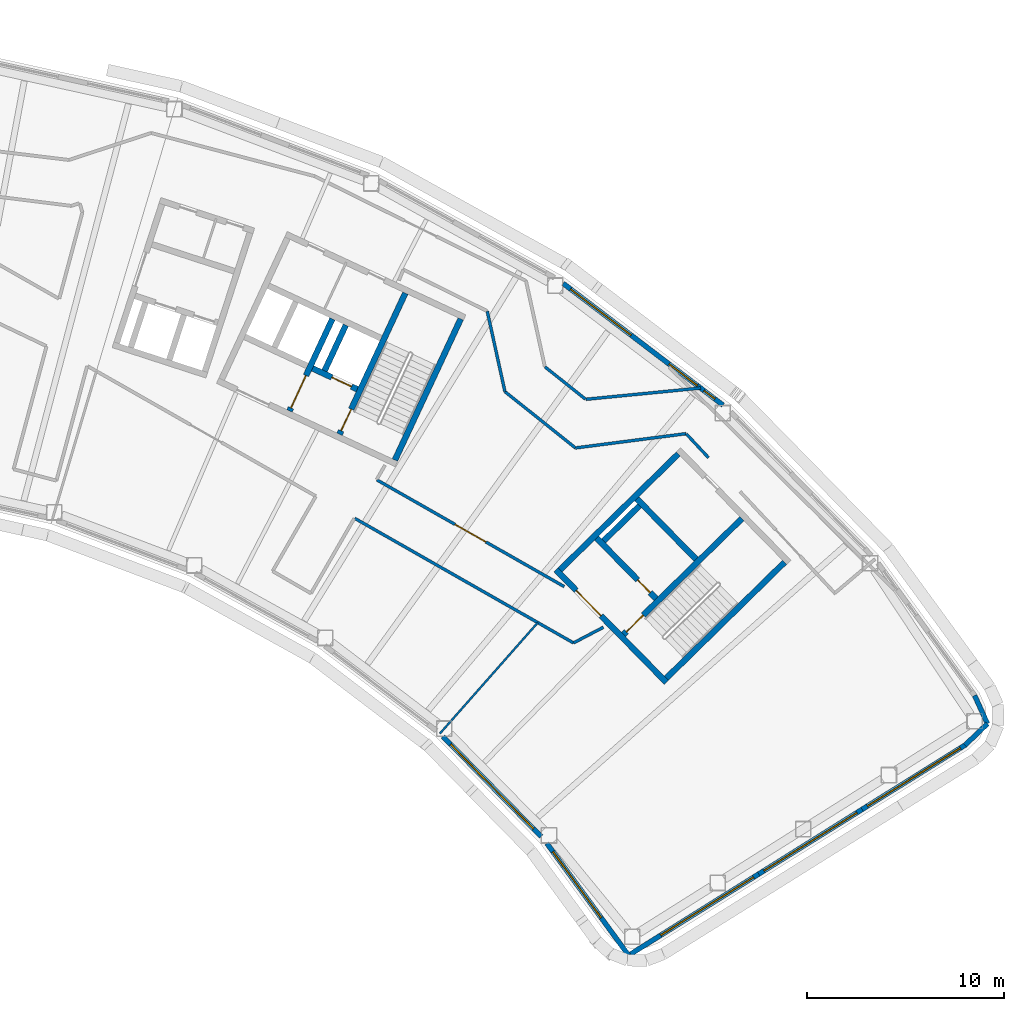
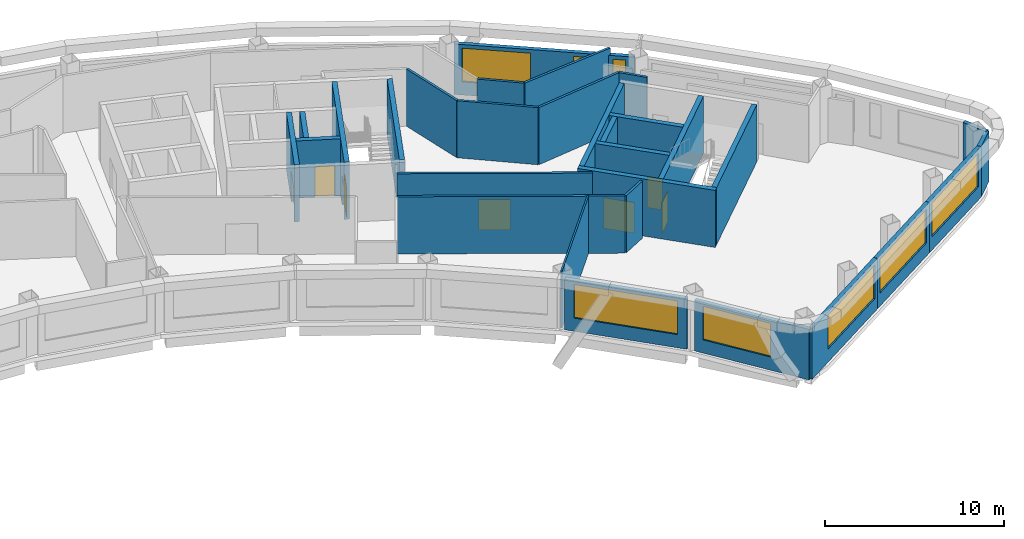
# One storey, part 8 of 13: 30 walls, 8 windows, 7 doors, 15 openings.
"""IFC4 building model written with IfcOpenShell, lengths in metres."""

from ifc_helpers import new_model, si_unit, direction, frame, frame_2d, origin, place, context, subcontext, project, spatial, rectangle, extrude, material, layer, layer_set, type_object, element, fill, save


model = new_model("IFC4")

# Units and contexts
model_context = context("Model", 3, precision=1e-05, world=origin(), true_north=direction((0.0, 1.0)))
body_context = subcontext(model_context, "Body", "Model", "MODEL_VIEW")
ifc_project = project(units=[si_unit("LENGTHUNIT", "METRE"), si_unit("AREAUNIT", "SQUARE_METRE"), si_unit("VOLUMEUNIT", "CUBIC_METRE"), si_unit("PLANEANGLEUNIT", "RADIAN"), si_unit("MASSUNIT", "GRAM", prefix="KILO")], contexts=[model_context])

# Site, building, storey
site_placement = place(None, origin())
site = spatial("IfcSite", under=ifc_project, at=site_placement, CompositionType="ELEMENT")
building_placement = place(site_placement, origin())
building = spatial("IfcBuilding", under=site, at=building_placement, Name="Tuul Gate Civic Tower", CompositionType="ELEMENT")
storey_placement = place(building_placement, frame((0.0, 0.0, 340.699951171875)))
storey = spatial("IfcBuildingStorey", under=building, at=storey_placement, Name="Level 77", CompositionType="ELEMENT", Elevation=340.699951171875)

# Wall, opening, door
ifc_material_1 = material(Name="Concrete C50/60", Category="concrete")
ifc_layer_1 = layer(ifc_material_1, 0.300048828125)
ifc_layer_set_1 = layer_set([ifc_layer_1], Name="Concrete C50/60")
wall_type_1 = type_object("IfcWallType", Name="Core wall C50/60", PredefinedType="SHEAR", material=ifc_layer_set_1)
wall_1_placement = place(storey_placement, frame((48.22509765625, -18.327880859375, 0.0), z_axis=(0.0, 0.0, 1.0), x_axis=(-0.700021979774, 0.714121297703, 0.0)))
wall_1 = element("IfcWall", 1, at=wall_1_placement, inside=storey, type_object=wall_type_1, Name="Core wall", PredefinedType="SHEAR", context=body_context, shape_type="SweptSolid", body=[
    extrude(rectangle(XDim=8.0, YDim=0.300048828125, at=frame_2d((4.0, 0.0))), origin(), (0.0, 0.0, 1.0), 3.900146484375),
])
opening_1_placement = place(wall_1_placement, frame((4.72509765625, 0.0, 0.0)))
opening_1 = element("IfcOpeningElement", 2, at=opening_1_placement, cuts=wall_1, Name="Opening LB-E1-LOBBY-1", PredefinedType="OPENING", context=body_context, shape_type="SweptSolid", body=[
    extrude(rectangle(XDim=1.800048828125, YDim=2.10009765625, at=frame_2d((0.89990234375, 1.050048828125))), frame((0.0, 0.16015625, 0.0), z_axis=(0.0, -1.0, 0.0), x_axis=(1.0, 0.0, 0.0)), (0.0, 0.0, 1.0), 0.320068359375),
])
ifc_material_2 = material(Name="Steel", Category="steel")
door_type_1 = type_object("IfcDoorType", Name="Lobby door", OperationType="DOUBLE_DOOR_SINGLE_SWING", PredefinedType="DOOR", material=ifc_material_2)
door_1_placement = place(opening_1_placement, frame((1.800048828125, 0.0, 0.0), z_axis=(0.0, 0.0, 1.0), x_axis=(-1.0, 0.0, 0.0)))
door_1 = element("IfcDoor", 3, at=door_1_placement, inside=storey, type_object=door_type_1, Name="Lobby door E1-LOBBY", OperationType="DOUBLE_DOOR_SINGLE_SWING", OverallHeight=2.10009765625, OverallWidth=1.800048828125, PredefinedType="DOOR", context=body_context, shape_type="SweptSolid", body=[
    extrude(rectangle(XDim=1.800048828125, YDim=2.10009765625, at=frame_2d((0.900146484375, 1.050048828125))), frame((0.0, 0.02490234375, 0.0), z_axis=(0.0, -1.0, 0.0), x_axis=(1.0, 0.0, 0.0)), (0.0, 0.0, 1.0), 0.050048828125),
])
fill(opening_1, door_1)

wall_2_placement = place(storey_placement, frame((47.701904296875, -14.079833984375, 0.0), z_axis=(0.0, 0.0, 1.0), x_axis=(-0.700002721075, 0.714140175657, 0.0)))
wall_2 = element("IfcWall", 4, at=wall_2_placement, inside=storey, type_object=wall_type_1, Name="Core wall", PredefinedType="SHEAR", context=body_context, shape_type="SweptSolid", body=[
    extrude(rectangle(XDim=4.300048828125, YDim=0.300048828125, at=frame_2d((2.14990234375, 0.0))), origin(), (0.0, 0.0, 1.0), 3.900146484375),
])
opening_2_placement = place(wall_2_placement, frame((0.425048828125, 0.0, 0.0)))
opening_2 = element("IfcOpeningElement", 5, at=opening_2_placement, cuts=wall_2, Name="Opening FB-E1A1", PredefinedType="OPENING", context=body_context, shape_type="SweptSolid", body=[
    extrude(rectangle(XDim=0.89990234375, YDim=2.10009765625, at=frame_2d((0.449951171875, 1.050048828125))), frame((0.0, 0.16015625, 0.0), z_axis=(0.0, -1.0, 0.0), x_axis=(1.0, 0.0, 0.0)), (0.0, 0.0, 1.0), 0.320068359375),
])
ifc_material_3 = material(Name="Steel", Category="steel")
door_type_2 = type_object("IfcDoorType", Name="Store door", OperationType="NOTDEFINED", PredefinedType="DOOR", material=ifc_material_3)
door_2_placement = place(opening_2_placement, frame((0.89990234375, 0.0, 0.0), z_axis=(0.0, 0.0, 1.0), x_axis=(-1.0, 0.0, 0.0)))
door_2 = element("IfcDoor", 6, at=door_2_placement, inside=storey, type_object=door_type_2, Name="Store door E1A1", OperationType="SINGLE_SWING_RIGHT", OverallHeight=2.10009765625, OverallWidth=0.89990234375, PredefinedType="DOOR", context=body_context, shape_type="SweptSolid", body=[
    extrude(rectangle(XDim=0.89990234375, YDim=2.10009765625, at=frame_2d((0.449951171875, 1.050048828125))), frame((0.0, 0.02490234375, 0.0), z_axis=(0.0, -1.0, 0.0), x_axis=(1.0, 0.0, 0.0)), (0.0, 0.0, 1.0), 0.050048828125),
])
fill(opening_2, door_2)

# Walls
wall_3_placement = place(storey_placement, frame((49.737060546875, -12.0849609375, 0.0), z_axis=(0.0, 0.0, 1.0), x_axis=(-0.700002721075, 0.714140175657, 0.0)))
element("IfcWall", 7, at=wall_3_placement, inside=storey, type_object=wall_type_1, Name="Core wall", PredefinedType="SHEAR", context=body_context, shape_type="SweptSolid", body=[
    extrude(rectangle(XDim=4.300048828125, YDim=0.300048828125, at=frame_2d((2.14990234375, 0.0))), origin(), (0.0, 0.0, 1.0), 3.900146484375),
])
wall_4_placement = place(storey_placement, frame((48.227294921875, -18.115966796875, 0.0), z_axis=(0.0, 0.0, 1.0), x_axis=(0.714105315431, 0.700038283577, 0.0)))
element("IfcWall", 8, at=wall_4_placement, inside=storey, type_object=wall_type_1, Name="Core wall", PredefinedType="SHEAR", context=body_context, shape_type="SweptSolid", body=[
    extrude(rectangle(XDim=8.400146484375, YDim=0.300048828125, at=frame_2d((4.2001953125, 0.0))), origin(), (0.0, 0.0, 1.0), 3.900146484375),
])

# Wall, opening, door
wall_5_placement = place(storey_placement, frame((46.05712890625, -15.902099609375, 0.0), z_axis=(0.0, 0.0, 1.0), x_axis=(0.714134086973, 0.700008932674, 0.0)))
wall_5 = element("IfcWall", 9, at=wall_5_placement, inside=storey, type_object=wall_type_1, Name="Core wall", PredefinedType="SHEAR", context=body_context, shape_type="SweptSolid", body=[
    extrude(rectangle(XDim=8.400146484375, YDim=0.300048828125, at=frame_2d((4.2001953125, 0.0))), origin(), (0.0, 0.0, 1.0), 3.900146484375),
])
opening_3_placement = place(wall_5_placement, frame((0.199951171875, 0.0, 0.0)))
opening_3 = element("IfcOpeningElement", 10, at=opening_3_placement, cuts=wall_5, Name="Opening SD-ST-3", PredefinedType="OPENING", context=body_context, shape_type="SweptSolid", body=[
    extrude(rectangle(XDim=1.199951171875, YDim=2.10009765625, at=frame_2d((0.60009765625, 1.050048828125))), frame((0.0, 0.16015625, 0.0), z_axis=(0.0, -1.0, 0.0), x_axis=(1.0, 0.0, 0.0)), (0.0, 0.0, 1.0), 0.320068359375),
])
ifc_material_4 = material(Name="Steel", Category="steel")
door_type_3 = type_object("IfcDoorType", Name="Stair door", OperationType="NOTDEFINED", PredefinedType="DOOR", material=ifc_material_4)
door_3_placement = place(opening_3_placement, origin())
door_3 = element("IfcDoor", 11, at=door_3_placement, inside=storey, type_object=door_type_3, Name="Stair door ST-3", OperationType="SINGLE_SWING_LEFT", OverallHeight=2.10009765625, OverallWidth=1.199951171875, PredefinedType="DOOR", context=body_context, shape_type="SweptSolid", body=[
    extrude(rectangle(XDim=1.199951171875, YDim=2.10009765625, at=frame_2d((0.60009765625, 1.050048828125))), frame((0.0, 0.02490234375, 0.0), z_axis=(0.0, -1.0, 0.0), x_axis=(1.0, 0.0, 0.0)), (0.0, 0.0, 1.0), 0.050048828125),
])
fill(opening_3, door_3)

# Walls
wall_6_placement = place(storey_placement, frame((45.0439453125, -11.154052734375, 0.0), z_axis=(0.0, 0.0, 1.0), x_axis=(0.714108498262, 0.700035036773, 0.0)))
element("IfcWall", 12, at=wall_6_placement, inside=storey, type_object=wall_type_1, Name="Core wall", PredefinedType="SHEAR", context=body_context, shape_type="SweptSolid", body=[
    extrude(rectangle(XDim=2.550048828125, YDim=0.300048828125, at=frame_2d((1.27490234375, 0.0))), origin(), (0.0, 0.0, 1.0), 3.900146484375),
])
wall_7_placement = place(storey_placement, frame((42.837158203125, -12.616943359375, 0.0), z_axis=(0.0, 0.0, 1.0), x_axis=(0.714119844755, 0.700023461983, 0.0)))
element("IfcWall", 13, at=wall_7_placement, inside=storey, type_object=wall_type_1, Name="Core wall", PredefinedType="SHEAR", context=body_context, shape_type="SweptSolid", body=[
    extrude(rectangle(XDim=8.39990234375, YDim=0.300048828125, at=frame_2d((4.199951171875, 0.0))), origin(), (0.0, 0.0, 1.0), 3.900146484375),
])

# Wall, opening, door
wall_8_placement = place(storey_placement, frame((32.545654296875, -3.456787109375, 0.0), z_axis=(0.0, 0.0, 1.0), x_axis=(-0.906300357825, 0.42263419337, 0.0)))
wall_8 = element("IfcWall", 14, at=wall_8_placement, inside=storey, type_object=wall_type_1, Name="Core wall", PredefinedType="SHEAR", context=body_context, shape_type="SweptSolid", body=[
    extrude(rectangle(XDim=2.500244140625, YDim=0.300048828125, at=frame_2d((1.25, 0.0))), origin(), (0.0, 0.0, 1.0), 3.900146484375),
])
opening_4_placement = place(wall_8_placement, frame((0.324951171875, 0.0, 0.0)))
opening_4 = element("IfcOpeningElement", 15, at=opening_4_placement, cuts=wall_8, Name="Opening LD-FF-2", PredefinedType="OPENING", context=body_context, shape_type="SweptSolid", body=[
    extrude(rectangle(XDim=1.10009765625, YDim=2.10009765625, at=frame_2d((0.550048828125, 1.050048828125))), frame((0.0, 0.16015625, 0.0), z_axis=(0.0, -1.0, 0.0), x_axis=(1.0, 0.0, 0.0)), (0.0, 0.0, 1.0), 0.320068359375),
])
ifc_material_5 = material(Name="Stainless steel", Category="steel")
door_type_4 = type_object("IfcDoorType", Name="Landing door", OperationType="DOUBLE_DOOR_SLIDING", PredefinedType="DOOR", material=ifc_material_5)
door_4_placement = place(opening_4_placement, origin())
door_4 = element("IfcDoor", 16, at=door_4_placement, inside=storey, type_object=door_type_4, Name="Fire-fighting lift FF-2 landing door", OperationType="DOUBLE_DOOR_SLIDING", OverallHeight=2.10009765625, OverallWidth=1.10009765625, PredefinedType="DOOR", context=body_context, shape_type="SweptSolid", body=[
    extrude(rectangle(XDim=1.10009765625, YDim=2.10009765625, at=frame_2d((0.550048828125, 1.050048828125))), frame((0.0, 0.02490234375, 0.0), z_axis=(0.0, -1.0, 0.0), x_axis=(1.0, 0.0, 0.0)), (0.0, 0.0, 1.0), 0.050048828125),
])
fill(opening_4, door_4)

# Wall
wall_9_placement = place(storey_placement, frame((34.455810546875, -7.05078125, 0.0), z_axis=(0.0, 0.0, 1.0), x_axis=(0.422570768258, 0.906329932096, 0.0)))
element("IfcWall", 17, at=wall_9_placement, inside=storey, type_object=wall_type_1, Name="Core wall", PredefinedType="SHEAR", context=body_context, shape_type="SweptSolid", body=[
    extrude(rectangle(XDim=7.900146484375, YDim=0.300048828125, at=frame_2d((3.9501953125, 0.0))), origin(), (0.0, 0.0, 1.0), 3.900146484375),
])

# Wall, opening, door
wall_10_placement = place(storey_placement, frame((31.646240234375, -5.740478515625, 0.0), z_axis=(0.0, 0.0, 1.0), x_axis=(0.422582604137, 0.906324413596, 0.0)))
wall_10 = element("IfcWall", 18, at=wall_10_placement, inside=storey, type_object=wall_type_1, Name="Core wall", PredefinedType="SHEAR", context=body_context, shape_type="SweptSolid", body=[
    extrude(rectangle(XDim=7.89990234375, YDim=0.300048828125, at=frame_2d((3.949951171875, 0.0))), origin(), (0.0, 0.0, 1.0), 3.900146484375),
])
opening_5_placement = place(wall_10_placement, frame((0.199951171875, 0.0, 0.0)))
opening_5 = element("IfcOpeningElement", 19, at=opening_5_placement, cuts=wall_10, Name="Opening SD-ST-4", PredefinedType="OPENING", context=body_context, shape_type="SweptSolid", body=[
    extrude(rectangle(XDim=1.199951171875, YDim=2.10009765625, at=frame_2d((0.60009765625, 1.050048828125))), frame((0.0, 0.16015625, 0.0), z_axis=(0.0, -1.0, 0.0), x_axis=(1.0, 0.0, 0.0)), (0.0, 0.0, 1.0), 0.320068359375),
])
door_5_placement = place(opening_5_placement, origin())
door_5 = element("IfcDoor", 20, at=door_5_placement, inside=storey, type_object=door_type_3, Name="Stair door ST-4", OperationType="SINGLE_SWING_LEFT", OverallHeight=2.10009765625, OverallWidth=1.199951171875, PredefinedType="DOOR", context=body_context, shape_type="SweptSolid", body=[
    extrude(rectangle(XDim=1.199951171875, YDim=2.10009765625, at=frame_2d((0.60009765625, 1.050048828125))), frame((0.0, 0.02490234375, 0.0), z_axis=(0.0, -1.0, 0.0), x_axis=(1.0, 0.0, 0.0)), (0.0, 0.0, 1.0), 0.050048828125),
])
fill(opening_5, door_5)

# Wall
wall_11_placement = place(storey_placement, frame((30.886962890625, -2.517822265625, 0.0), z_axis=(0.0, 0.0, 1.0), x_axis=(0.422612891016, 0.906310291427, 0.0)))
element("IfcWall", 21, at=wall_11_placement, inside=storey, type_object=wall_type_1, Name="Core wall", PredefinedType="SHEAR", context=body_context, shape_type="SweptSolid", body=[
    extrude(rectangle(XDim=2.550048828125, YDim=0.300048828125, at=frame_2d((1.27490234375, 0.0))), origin(), (0.0, 0.0, 1.0), 3.900146484375),
])

# Wall, opening, door
wall_12_placement = place(storey_placement, frame((29.108642578125, -4.557373046875, 0.0), z_axis=(0.0, 0.0, 1.0), x_axis=(0.422566235356, 0.90633204552, 0.0)))
wall_12 = element("IfcWall", 22, at=wall_12_placement, inside=storey, type_object=wall_type_1, Name="Core wall", PredefinedType="SHEAR", context=body_context, shape_type="SweptSolid", body=[
    extrude(rectangle(XDim=5.150146484375, YDim=0.300048828125, at=frame_2d((2.5751953125, 0.0))), origin(), (0.0, 0.0, 1.0), 3.900146484375),
])
opening_6_placement = place(wall_12_placement, frame((0.175048828125, 0.0, 0.0)))
opening_6 = element("IfcOpeningElement", 23, at=opening_6_placement, cuts=wall_12, Name="Opening LB-E3-FLOBBY-1", PredefinedType="OPENING", context=body_context, shape_type="SweptSolid", body=[
    extrude(rectangle(XDim=1.800048828125, YDim=2.10009765625, at=frame_2d((0.89990234375, 1.050048828125))), frame((0.0, 0.16015625, 0.0), z_axis=(0.0, -1.0, 0.0), x_axis=(1.0, 0.0, 0.0)), (0.0, 0.0, 1.0), 0.320068359375),
])
door_6_placement = place(opening_6_placement, frame((1.800048828125, 0.0, 0.0), z_axis=(0.0, 0.0, 1.0), x_axis=(-1.0, 0.0, 0.0)))
door_6 = element("IfcDoor", 24, at=door_6_placement, inside=storey, type_object=door_type_1, Name="Lobby door E3-FLOBBY", OperationType="DOUBLE_DOOR_SINGLE_SWING", OverallHeight=2.10009765625, OverallWidth=1.800048828125, PredefinedType="DOOR", context=body_context, shape_type="SweptSolid", body=[
    extrude(rectangle(XDim=1.800048828125, YDim=2.10009765625, at=frame_2d((0.900146484375, 1.050048828125))), frame((0.0, 0.02490234375, 0.0), z_axis=(0.0, -1.0, 0.0), x_axis=(1.0, 0.0, 0.0)), (0.0, 0.0, 1.0), 0.050048828125),
])
fill(opening_6, door_6)

# Walls
ifc_material_6 = material(Name="Gypsum board partition")
ifc_layer_2 = layer(ifc_material_6, 0.14990234375)
ifc_layer_set_2 = layer_set([ifc_layer_2], Name="Gypsum board partition")
wall_type_2 = type_object("IfcWallType", Name="Corridor wall P150", PredefinedType="PARTITIONING", material=ifc_layer_set_2)
wall_13_placement = place(storey_placement, frame((44.140380859375, -3.968017578125, 0.0), z_axis=(0.0, 0.0, 1.0), x_axis=(0.99523368149, 0.097518814735, 0.0)))
element("IfcWall", 25, at=wall_13_placement, inside=storey, type_object=wall_type_2, Name="p008", PredefinedType="PARTITIONING", context=body_context, shape_type="SweptSolid", body=[
    extrude(rectangle(XDim=5.858154296875, YDim=0.14990234375, at=frame_2d((2.92919921875, 0.0))), origin(), (0.0, 0.0, 1.0), 3.900146484375),
])
wall_14_placement = place(storey_placement, frame((42.06884765625, -2.321044921875, 0.0), z_axis=(0.0, 0.0, 1.0), x_axis=(0.781447548513, -0.62397093596, 0.0)))
element("IfcWall", 26, at=wall_14_placement, inside=storey, type_object=wall_type_2, Name="p009", PredefinedType="PARTITIONING", context=body_context, shape_type="SweptSolid", body=[
    extrude(rectangle(XDim=2.632568359375, YDim=0.14990234375, at=frame_2d((1.31640625, 0.0))), origin(), (0.0, 0.0, 1.0), 3.900146484375),
])
wall_15_placement = place(storey_placement, frame((32.418701171875, -10.00634765625, 0.0), z_axis=(0.0, 0.0, 1.0), x_axis=(0.868898796348, -0.494989779395, 0.0)))
element("IfcWall", 27, at=wall_15_placement, inside=storey, type_object=wall_type_2, Name="p027", PredefinedType="PARTITIONING", context=body_context, shape_type="SweptSolid", body=[
    extrude(rectangle(XDim=12.771484375, YDim=0.14990234375, at=frame_2d((6.3857421875, 0.0))), origin(), (0.0, 0.0, 1.0), 3.900146484375),
])
wall_16_placement = place(storey_placement, frame((43.515869140625, -16.328125, 0.0), z_axis=(0.0, 0.0, 1.0), x_axis=(0.885516504888, 0.464607920263, 0.0)))
element("IfcWall", 28, at=wall_16_placement, inside=storey, type_object=wall_type_2, Name="p028", PredefinedType="PARTITIONING", context=body_context, shape_type="SweptSolid", body=[
    extrude(rectangle(XDim=1.715087890625, YDim=0.14990234375, at=frame_2d((0.857421875, 0.0))), origin(), (0.0, 0.0, 1.0), 3.900146484375),
])
wall_17_placement = place(storey_placement, frame((49.235107421875, -5.718505859375, 0.0), z_axis=(0.0, 0.0, 1.0), x_axis=(0.681993637288, -0.731358105649, 0.0)))
element("IfcWall", 29, at=wall_17_placement, inside=storey, type_object=wall_type_2, Name="p029", PredefinedType="PARTITIONING", context=body_context, shape_type="SweptSolid", body=[
    extrude(rectangle(XDim=1.661865234375, YDim=0.14990234375, at=frame_2d((0.8310546875, 0.0))), origin(), (0.0, 0.0, 1.0), 3.900146484375),
])

# Wall, opening, door
wall_18_placement = place(storey_placement, frame((33.540771484375, -8.0556640625, 0.0), z_axis=(0.0, 0.0, 1.0), x_axis=(0.868878593255, -0.495025241965, 0.0)))
wall_18 = element("IfcWall", 30, at=wall_18_placement, inside=storey, type_object=wall_type_2, Name="p079", PredefinedType="PARTITIONING", context=body_context, shape_type="SweptSolid", body=[
    extrude(rectangle(XDim=10.9345703125, YDim=0.14990234375, at=frame_2d((5.46728515625, 0.0))), origin(), (0.0, 0.0, 1.0), 3.900146484375),
])
opening_7_placement = place(wall_18_placement, frame((4.5673828125, 0.0, 0.0)))
opening_7 = element("IfcOpeningElement", 31, at=opening_7_placement, cuts=wall_18, Name="Opening AC-D13", PredefinedType="OPENING", context=body_context, shape_type="SweptSolid", body=[
    extrude(rectangle(XDim=1.800048828125, YDim=2.10009765625, at=frame_2d((0.89990234375, 1.050048828125))), frame((0.0, 0.0849609375, 0.0), z_axis=(0.0, -1.0, 0.0), x_axis=(1.0, 0.0, 0.0)), (0.0, 0.0, 1.0), 0.169921875),
])
ifc_material_7 = material(Name="Timber door leaf, double", Category="wood")
door_type_5 = type_object("IfcDoorType", Name="Door D18", OperationType="DOUBLE_DOOR_SINGLE_SWING", PredefinedType="DOOR", material=ifc_material_7)
door_7_placement = place(opening_7_placement, origin())
door_7 = element("IfcDoor", 32, at=door_7_placement, inside=storey, type_object=door_type_5, Name="Door AC-D13", OperationType="DOUBLE_DOOR_SINGLE_SWING", OverallHeight=2.10009765625, OverallWidth=1.800048828125, PredefinedType="DOOR", context=body_context, shape_type="SweptSolid", body=[
    extrude(rectangle(XDim=1.800048828125, YDim=2.10009765625, at=frame_2d((0.89990234375, 1.050048828125))), frame((0.0, 0.02490234375, 0.0), z_axis=(0.0, -1.0, 0.0), x_axis=(1.0, 0.0, 0.0)), (0.0, 0.0, 1.0), 0.050048828125),
])
fill(opening_7, door_7)

# Walls
wall_19_placement = place(storey_placement, frame((39.140380859375, 0.498779296875, 0.0), z_axis=(0.0, 0.0, 1.0), x_axis=(0.214774749988, -0.976663609831, 0.0)))
element("IfcWall", 33, at=wall_19_placement, inside=storey, type_object=wall_type_2, Name="p082", PredefinedType="PARTITIONING", context=body_context, shape_type="SweptSolid", body=[
    extrude(rectangle(XDim=4.174072265625, YDim=0.14990234375, at=frame_2d((2.0869140625, 0.0))), origin(), (0.0, 0.0, 1.0), 3.900146484375),
])
wall_20_placement = place(storey_placement, frame((40.036865234375, -3.577880859375, 0.0), z_axis=(0.0, 0.0, 1.0), x_axis=(0.781456042553, -0.623960298061, 0.0)))
element("IfcWall", 34, at=wall_20_placement, inside=storey, type_object=wall_type_2, Name="p083", PredefinedType="PARTITIONING", context=body_context, shape_type="SweptSolid", body=[
    extrude(rectangle(XDim=4.58056640625, YDim=0.14990234375, at=frame_2d((2.290283203125, 0.0))), origin(), (0.0, 0.0, 1.0), 3.900146484375),
])
wall_21_placement = place(storey_placement, frame((43.616455078125, -6.43603515625, 0.0), z_axis=(0.0, 0.0, 1.0), x_axis=(0.991763889068, 0.128079617191, 0.0)))
element("IfcWall", 35, at=wall_21_placement, inside=storey, type_object=wall_type_2, Name="p084", PredefinedType="PARTITIONING", context=body_context, shape_type="SweptSolid", body=[
    extrude(rectangle(XDim=5.65185546875, YDim=0.14990234375, at=frame_2d((2.825927734375, 0.0))), origin(), (0.0, 0.0, 1.0), 3.900146484375),
])
ifc_material_8 = material(Name="Precast concrete C40/50", Category="concrete")
ifc_layer_3 = layer(ifc_material_8, 0.25)
ifc_layer_set_3 = layer_set([ifc_layer_3], Name="Precast concrete C40/50")
wall_type_3 = type_object("IfcWallType", Name="External wall", PredefinedType="STANDARD", material=ifc_layer_set_3)
wall_22_placement = place(storey_placement, frame((63.382568359375, -21.513671875, 0.0), z_axis=(0.0, 0.0, 1.0), x_axis=(0.722162740816, 0.691723193031, 0.0)))
element("IfcWall", 36, at=wall_22_placement, inside=storey, type_object=wall_type_3, Name="External wall", PredefinedType="STANDARD", context=body_context, shape_type="SweptSolid", body=[
    extrude(rectangle(XDim=1.572021484375, YDim=0.25, at=frame_2d((0.7861328125, 0.0))), origin(), (0.0, 0.0, 1.0), 3.449951171875),
])
wall_23_placement = place(storey_placement, frame((64.517822265625, -20.42626953125, 0.0), z_axis=(0.0, 0.0, 1.0), x_axis=(-0.413463423134, 0.910520728886, 0.0)))
element("IfcWall", 37, at=wall_23_placement, inside=storey, type_object=wall_type_3, Name="External wall", PredefinedType="STANDARD", context=body_context, shape_type="SweptSolid", body=[
    extrude(rectangle(XDim=1.5712890625, YDim=0.25, at=frame_2d((0.78564453125, 0.0))), origin(), (0.0, 0.0, 1.0), 3.449951171875),
])

# Wall, openings, windows
wall_24_placement = place(storey_placement, frame((51.100341796875, -4.262939453125, 0.0), z_axis=(0.0, 0.0, 1.0), x_axis=(-0.795619798905, 0.605796282252, 0.0)))
wall_24 = element("IfcWall", 38, at=wall_24_placement, inside=storey, type_object=wall_type_3, Name="External wall", PredefinedType="STANDARD", context=body_context, shape_type="SweptSolid", body=[
    extrude(rectangle(XDim=10.18896484375, YDim=0.25, at=frame_2d((5.094482421875, 0.0))), origin(), (0.0, 0.0, 1.0), 3.449951171875),
])
opening_8_placement = place(wall_24_placement, frame((5.865478515625, 0.0, 0.89990234375)))
opening_8 = element("IfcOpeningElement", 39, at=opening_8_placement, cuts=wall_24, Name="Opening W22", PredefinedType="OPENING", context=body_context, shape_type="SweptSolid", body=[
    extrude(rectangle(XDim=3.85009765625, YDim=2.300048828125, at=frame_2d((1.925048828125, 1.14990234375))), frame((0.0, 0.135009765625, 0.0), z_axis=(0.0, -1.0, 0.0), x_axis=(1.0, 0.0, 0.0)), (0.0, 0.0, 1.0), 0.27001953125),
])
opening_9_placement = place(wall_24_placement, frame((0.516357421875, 0.0, 0.89990234375)))
opening_9 = element("IfcOpeningElement", 40, at=opening_9_placement, cuts=wall_24, Name="Opening W70", PredefinedType="OPENING", context=body_context, shape_type="SweptSolid", body=[
    extrude(rectangle(XDim=0.699951171875, YDim=2.300048828125, at=frame_2d((0.35009765625, 1.14990234375))), frame((0.0, 0.135009765625, 0.0), z_axis=(0.0, -1.0, 0.0), x_axis=(1.0, 0.0, 0.0)), (0.0, 0.0, 1.0), 0.27001953125),
])
opening_10_placement = place(wall_24_placement, frame((1.64111328125, 0.0, 0.89990234375)))
opening_10 = element("IfcOpeningElement", 41, at=opening_10_placement, cuts=wall_24, Name="Opening W29", PredefinedType="OPENING", context=body_context, shape_type="SweptSolid", body=[
    extrude(rectangle(XDim=1.800048828125, YDim=2.300048828125, at=frame_2d((0.89990234375, 1.14990234375))), frame((0.0, 0.135009765625, 0.0), z_axis=(0.0, -1.0, 0.0), x_axis=(1.0, 0.0, 0.0)), (0.0, 0.0, 1.0), 0.27001953125),
])
ifc_material_9 = material(Name="Glass", Category="glass")
window_type_1 = type_object("IfcWindowType", Name="Window 1800 x 2300", PartitioningType="SINGLE_PANEL", PredefinedType="WINDOW", material=ifc_material_9)
window_1_placement = place(opening_10_placement, origin())
window_1 = element("IfcWindow", 42, at=window_1_placement, inside=storey, type_object=window_type_1, Name="Window", OverallHeight=2.300048828125, OverallWidth=1.800048828125, PartitioningType="SINGLE_PANEL", PredefinedType="WINDOW", context=body_context, shape_type="SweptSolid", body=[
    extrude(rectangle(XDim=1.800048828125, YDim=2.300048828125, at=frame_2d((0.89990234375, 1.14990234375))), frame((0.0, 0.030029296875, 0.0), z_axis=(0.0, -1.0, 0.0), x_axis=(1.0, 0.0, 0.0)), (0.0, 0.0, 1.0), 0.06005859375),
])
fill(opening_10, window_1)
ifc_material_10 = material(Name="Glass", Category="glass")
window_type_2 = type_object("IfcWindowType", Name="Window 700 x 2300", PartitioningType="SINGLE_PANEL", PredefinedType="WINDOW", material=ifc_material_10)
window_2_placement = place(opening_9_placement, origin())
window_2 = element("IfcWindow", 43, at=window_2_placement, inside=storey, type_object=window_type_2, Name="Window", OverallHeight=2.300048828125, OverallWidth=0.699951171875, PartitioningType="SINGLE_PANEL", PredefinedType="WINDOW", context=body_context, shape_type="SweptSolid", body=[
    extrude(rectangle(XDim=0.699951171875, YDim=2.300048828125, at=frame_2d((0.35009765625, 1.14990234375))), frame((0.0, 0.030029296875, 0.0), z_axis=(0.0, -1.0, 0.0), x_axis=(1.0, 0.0, 0.0)), (0.0, 0.0, 1.0), 0.06005859375),
])
fill(opening_9, window_2)
ifc_material_11 = material(Name="Glass", Category="glass")
window_type_3 = type_object("IfcWindowType", Name="Window W22 3850 x 2300", PartitioningType="SINGLE_PANEL", PredefinedType="WINDOW", material=ifc_material_11)
window_3_placement = place(opening_8_placement, origin())
window_3 = element("IfcWindow", 44, at=window_3_placement, inside=storey, type_object=window_type_3, Name="Window", OverallHeight=2.300048828125, OverallWidth=3.85009765625, PartitioningType="SINGLE_PANEL", PredefinedType="WINDOW", context=body_context, shape_type="SweptSolid", body=[
    extrude(rectangle(XDim=3.85009765625, YDim=2.300048828125, at=frame_2d((1.925048828125, 1.14990234375))), frame((0.0, 0.030029296875, 0.0), z_axis=(0.0, -1.0, 0.0), x_axis=(1.0, 0.0, 0.0)), (0.0, 0.0, 1.0), 0.06005859375),
])
fill(opening_8, window_3)

# Wall, opening, window
wall_25_placement = place(storey_placement, frame((36.894775390625, -21.074951171875, 0.0), z_axis=(0.0, 0.0, 1.0), x_axis=(0.700102647984, -0.714042213238, 0.0)))
wall_25 = element("IfcWall", 45, at=wall_25_placement, inside=storey, type_object=wall_type_3, Name="External wall", PredefinedType="STANDARD", context=body_context, shape_type="SweptSolid", body=[
    extrude(rectangle(XDim=7.11083984375, YDim=0.25, at=frame_2d((3.555419921875, 0.0))), origin(), (0.0, 0.0, 1.0), 3.449951171875),
])
opening_11_placement = place(wall_25_placement, frame((0.55517578125, 0.0, 0.89990234375)))
opening_11 = element("IfcOpeningElement", 46, at=opening_11_placement, cuts=wall_25, Name="Opening W26", PredefinedType="OPENING", context=body_context, shape_type="SweptSolid", body=[
    extrude(rectangle(XDim=6.0, YDim=2.300048828125, at=frame_2d((3.0, 1.14990234375))), frame((0.0, 0.135009765625, 0.0), z_axis=(0.0, -1.0, 0.0), x_axis=(1.0, 0.0, 0.0)), (0.0, 0.0, 1.0), 0.27001953125),
])
ifc_material_12 = material(Name="Glass", Category="glass")
window_type_4 = type_object("IfcWindowType", Name="Window W26 6000 x 2300", PartitioningType="SINGLE_PANEL", PredefinedType="WINDOW", material=ifc_material_12)
window_4_placement = place(opening_11_placement, origin())
window_4 = element("IfcWindow", 47, at=window_4_placement, inside=storey, type_object=window_type_4, Name="Window", OverallHeight=2.300048828125, OverallWidth=6.0, PartitioningType="SINGLE_PANEL", PredefinedType="WINDOW", context=body_context, shape_type="SweptSolid", body=[
    extrude(rectangle(XDim=6.0, YDim=2.300048828125, at=frame_2d((3.0, 1.14990234375))), frame((0.0, 0.030029296875, 0.0), z_axis=(0.0, -1.0, 0.0), x_axis=(1.0, 0.0, 0.0)), (0.0, 0.0, 1.0), 0.06005859375),
])
fill(opening_11, window_4)

wall_26_placement = place(storey_placement, frame((42.163330078125, -26.4970703125, 0.0), z_axis=(0.0, 0.0, 1.0), x_axis=(0.589749390831, -0.8075863149, 0.0)))
wall_26 = element("IfcWall", 48, at=wall_26_placement, inside=storey, type_object=wall_type_3, Name="External wall", PredefinedType="STANDARD", context=body_context, shape_type="SweptSolid", body=[
    extrude(rectangle(XDim=7.033935546875, YDim=0.25, at=frame_2d((3.51708984375, 0.0))), origin(), (0.0, 0.0, 1.0), 3.449951171875),
])
opening_12_placement = place(wall_26_placement, frame((0.5263671875, 0.0, 0.89990234375)))
opening_12 = element("IfcOpeningElement", 49, at=opening_12_placement, cuts=wall_26, Name="Opening W25", PredefinedType="OPENING", context=body_context, shape_type="SweptSolid", body=[
    extrude(rectangle(XDim=4.14990234375, YDim=2.300048828125, at=frame_2d((2.074951171875, 1.14990234375))), frame((0.0, 0.135009765625, 0.0), z_axis=(0.0, -1.0, 0.0), x_axis=(1.0, 0.0, 0.0)), (0.0, 0.0, 1.0), 0.27001953125),
])
ifc_material_13 = material(Name="Glass", Category="glass")
window_type_5 = type_object("IfcWindowType", Name="Window W25 4150 x 2300", PartitioningType="SINGLE_PANEL", PredefinedType="WINDOW", material=ifc_material_13)
window_5_placement = place(opening_12_placement, origin())
window_5 = element("IfcWindow", 50, at=window_5_placement, inside=storey, type_object=window_type_5, Name="Window", OverallHeight=2.300048828125, OverallWidth=4.14990234375, PartitioningType="SINGLE_PANEL", PredefinedType="WINDOW", context=body_context, shape_type="SweptSolid", body=[
    extrude(rectangle(XDim=4.14990234375, YDim=2.300048828125, at=frame_2d((2.074951171875, 1.14990234375))), frame((0.0, 0.030029296875, 0.0), z_axis=(0.0, -1.0, 0.0), x_axis=(1.0, 0.0, 0.0)), (0.0, 0.0, 1.0), 0.06005859375),
])
fill(opening_12, window_5)

wall_27_placement = place(storey_placement, frame((46.3115234375, -32.177490234375, 0.0), z_axis=(0.0, 0.0, 1.0), x_axis=(0.848061701049, 0.529897491233, 0.0)))
wall_27 = element("IfcWall", 51, at=wall_27_placement, inside=storey, type_object=wall_type_3, Name="External wall", PredefinedType="STANDARD", context=body_context, shape_type="SweptSolid", body=[
    extrude(rectangle(XDim=7.787841796875, YDim=0.25, at=frame_2d((3.89404296875, 0.0))), origin(), (0.0, 0.0, 1.0), 3.449951171875),
])
opening_13_placement = place(wall_27_placement, frame((1.92138671875, 0.0, 0.89990234375)))
opening_13 = element("IfcOpeningElement", 52, at=opening_13_placement, cuts=wall_27, Name="Opening W24", PredefinedType="OPENING", context=body_context, shape_type="SweptSolid", body=[
    extrude(rectangle(XDim=5.550048828125, YDim=2.300048828125, at=frame_2d((2.77490234375, 1.14990234375))), frame((0.0, 0.135009765625, 0.0), z_axis=(0.0, -1.0, 0.0), x_axis=(1.0, 0.0, 0.0)), (0.0, 0.0, 1.0), 0.27001953125),
])
ifc_material_14 = material(Name="Glass", Category="glass")
window_type_6 = type_object("IfcWindowType", Name="Window W24 5550 x 2300", PartitioningType="SINGLE_PANEL", PredefinedType="WINDOW", material=ifc_material_14)
window_6_placement = place(opening_13_placement, origin())
window_6 = element("IfcWindow", 53, at=window_6_placement, inside=storey, type_object=window_type_6, Name="Window", OverallHeight=2.300048828125, OverallWidth=5.550048828125, PartitioningType="SINGLE_PANEL", PredefinedType="WINDOW", context=body_context, shape_type="SweptSolid", body=[
    extrude(rectangle(XDim=5.550048828125, YDim=2.300048828125, at=frame_2d((2.77490234375, 1.14990234375))), frame((0.0, 0.030029296875, 0.0), z_axis=(0.0, -1.0, 0.0), x_axis=(1.0, 0.0, 0.0)), (0.0, 0.0, 1.0), 0.06005859375),
])
fill(opening_13, window_6)

wall_28_placement = place(storey_placement, frame((52.916015625, -28.05078125, 0.0), z_axis=(0.0, 0.0, 1.0), x_axis=(0.848053758074, 0.529910203164, 0.0)))
wall_28 = element("IfcWall", 54, at=wall_28_placement, inside=storey, type_object=wall_type_3, Name="External wall", PredefinedType="STANDARD", context=body_context, shape_type="SweptSolid", body=[
    extrude(rectangle(XDim=6.182861328125, YDim=0.25, at=frame_2d((3.09130859375, 0.0))), origin(), (0.0, 0.0, 1.0), 3.449951171875),
])
opening_14_placement = place(wall_28_placement, frame((0.31640625, 0.0, 0.89990234375)))
opening_14 = element("IfcOpeningElement", 55, at=opening_14_placement, cuts=wall_28, Name="Opening W24", PredefinedType="OPENING", context=body_context, shape_type="SweptSolid", body=[
    extrude(rectangle(XDim=5.550048828125, YDim=2.300048828125, at=frame_2d((2.77490234375, 1.14990234375))), frame((0.0, 0.135009765625, 0.0), z_axis=(0.0, -1.0, 0.0), x_axis=(1.0, 0.0, 0.0)), (0.0, 0.0, 1.0), 0.27001953125),
])
window_7_placement = place(opening_14_placement, origin())
window_7 = element("IfcWindow", 56, at=window_7_placement, inside=storey, type_object=window_type_6, Name="Window", OverallHeight=2.300048828125, OverallWidth=5.550048828125, PartitioningType="SINGLE_PANEL", PredefinedType="WINDOW", context=body_context, shape_type="SweptSolid", body=[
    extrude(rectangle(XDim=5.550048828125, YDim=2.300048828125, at=frame_2d((2.77490234375, 1.14990234375))), frame((0.0, 0.030029296875, 0.0), z_axis=(0.0, -1.0, 0.0), x_axis=(1.0, 0.0, 0.0)), (0.0, 0.0, 1.0), 0.06005859375),
])
fill(opening_14, window_7)

wall_29_placement = place(storey_placement, frame((58.159423828125, -24.7744140625, 0.0), z_axis=(0.0, 0.0, 1.0), x_axis=(0.848053758074, 0.529910203164, 0.0)))
wall_29 = element("IfcWall", 57, at=wall_29_placement, inside=storey, type_object=wall_type_3, Name="External wall", PredefinedType="STANDARD", context=body_context, shape_type="SweptSolid", body=[
    extrude(rectangle(XDim=6.182861328125, YDim=0.25, at=frame_2d((3.09130859375, 0.0))), origin(), (0.0, 0.0, 1.0), 3.449951171875),
])
opening_15_placement = place(wall_29_placement, frame((0.31640625, 0.0, 0.89990234375)))
opening_15 = element("IfcOpeningElement", 58, at=opening_15_placement, cuts=wall_29, Name="Opening W24", PredefinedType="OPENING", context=body_context, shape_type="SweptSolid", body=[
    extrude(rectangle(XDim=5.550048828125, YDim=2.300048828125, at=frame_2d((2.77490234375, 1.14990234375))), frame((0.0, 0.135009765625, 0.0), z_axis=(0.0, -1.0, 0.0), x_axis=(1.0, 0.0, 0.0)), (0.0, 0.0, 1.0), 0.27001953125),
])
window_8_placement = place(opening_15_placement, origin())
window_8 = element("IfcWindow", 59, at=window_8_placement, inside=storey, type_object=window_type_6, Name="Window", OverallHeight=2.300048828125, OverallWidth=5.550048828125, PartitioningType="SINGLE_PANEL", PredefinedType="WINDOW", context=body_context, shape_type="SweptSolid", body=[
    extrude(rectangle(XDim=5.550048828125, YDim=2.300048828125, at=frame_2d((2.77490234375, 1.14990234375))), frame((0.0, 0.030029296875, 0.0), z_axis=(0.0, -1.0, 0.0), x_axis=(1.0, 0.0, 0.0)), (0.0, 0.0, 1.0), 0.06005859375),
])
fill(opening_15, window_8)

# Wall
ifc_material_15 = material(Name="Gypsum board partition")
ifc_layer_4 = layer(ifc_material_15, 0.10009765625)
ifc_layer_set_4 = layer_set([ifc_layer_4], Name="Gypsum board partition")
wall_type_4 = type_object("IfcWallType", Name="Partition P100", PredefinedType="PARTITIONING", material=ifc_layer_set_4)
wall_30_placement = place(storey_placement, frame((36.739501953125, -20.923583984375, 0.0), z_axis=(0.0, 0.0, 1.0), x_axis=(0.661686190867, 0.749780891205, 0.0)))
element("IfcWall", 60, at=wall_30_placement, inside=storey, type_object=wall_type_4, Name="p025", PredefinedType="PARTITIONING", context=body_context, shape_type="SweptSolid", body=[
    extrude(rectangle(XDim=7.5048828125, YDim=0.10009765625, at=frame_2d((3.75244140625, 0.0))), origin(), (0.0, 0.0, 1.0), 3.900146484375),
])

save(model, "model.ifc")
